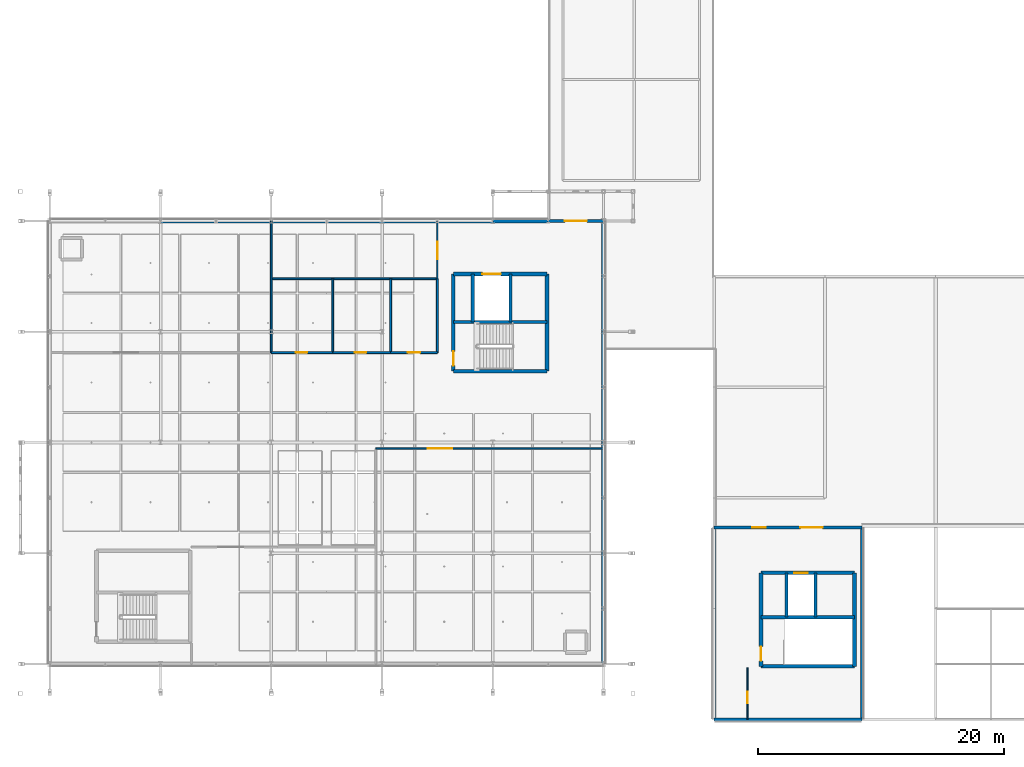
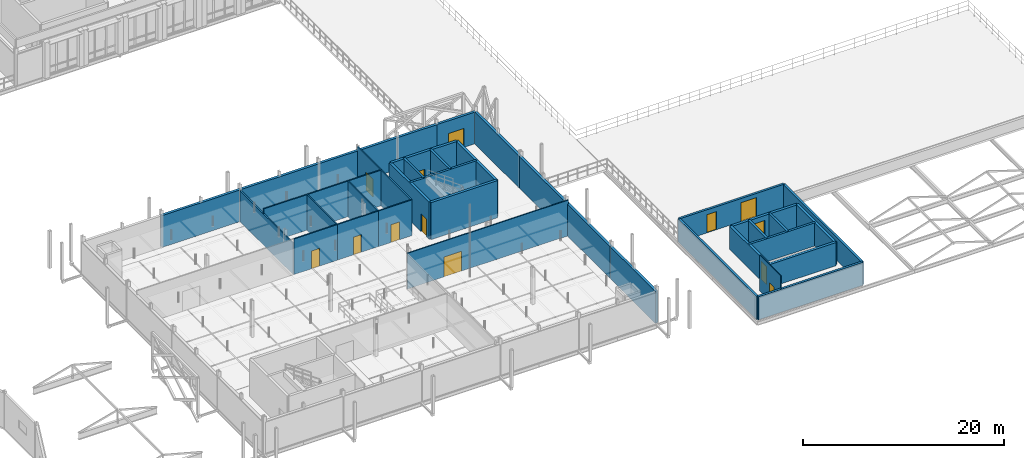
# One storey, part 47 of 89: 38 walls, 13 doors, 13 openings.
"""IFC4 building model written with IfcOpenShell, lengths in metres."""

from ifc_helpers import new_model, si_unit, direction, frame, frame_2d, origin, place, context, subcontext, project, spatial, rectangle, extrude, material, layer, layer_set, type_object, element, fill, save


model = new_model("IFC4")

# Units and contexts
model_context = context("Model", 3, precision=1e-05, world=origin(), true_north=direction((0.0, 1.0)))
body_context = subcontext(model_context, "Body", "Model", "MODEL_VIEW")
ifc_project = project(units=[si_unit("LENGTHUNIT", "METRE"), si_unit("AREAUNIT", "SQUARE_METRE"), si_unit("VOLUMEUNIT", "CUBIC_METRE"), si_unit("PLANEANGLEUNIT", "RADIAN"), si_unit("MASSUNIT", "GRAM", prefix="KILO"), si_unit("THERMODYNAMICTEMPERATUREUNIT", "KELVIN"), si_unit("POWERUNIT", "WATT")], contexts=[model_context])

# Site, building, storey
site_placement = place(None, origin())
site = spatial("IfcSite", under=ifc_project, at=site_placement, CompositionType="ELEMENT")
building_placement = place(site_placement, origin())
building = spatial("IfcBuilding", under=site, at=building_placement, Name="Tallowbark Science Centre", CompositionType="ELEMENT")
storey_placement = place(building_placement, frame((0.0, 0.0, 14.39990234375)))
storey = spatial("IfcBuildingStorey", under=building, at=storey_placement, Name="L03", CompositionType="ELEMENT", Elevation=14.39990234375)

# Walls
ifc_material_1 = material(Name="Insulated Precast Concrete Panel Grade N40 (40 MPa)", Category="concrete")
ifc_layer_1 = layer(ifc_material_1, 0.25)
ifc_layer_set_1 = layer_set([ifc_layer_1], Name="Insulated Precast Concrete Panel Grade N40 (40 MPa)")
wall_type_1 = type_object("IfcWallType", Name="EWL-PRC-250", PredefinedType="STANDARD", material=ifc_layer_set_1)
wall_1_placement = place(storey_placement, frame((112.5, 0.0, 0.0), z_axis=(0.0, 0.0, 1.0), x_axis=(1.0, 0.0, 0.0)))
element("IfcWall", 1, at=wall_1_placement, inside=storey, type_object=wall_type_1, Name="Exterior Wall THT-VST-L03-S", PredefinedType="STANDARD", context=body_context, shape_type="SweptSolid", body=[
    extrude(rectangle(XDim=12.0, YDim=0.25, at=frame_2d((6.0, 0.0))), origin(), (0.0, 0.0, 1.0), 2.800048828125),
])
for number, where, z_axis, x_axis, name in (
    (2, (112.5, 15.60009765625, 0.0), (0.0, 0.0, 1.0), (0.0, -1.0, 0.0), "Exterior Wall THT-VST-L03-W"),
    (3, (124.5, 0.0, 0.0), (0.0, 0.0, 1.0), (0.0, 1.0, 0.0), "Exterior Wall THT-VST-L03-E"),
):
    element("IfcWall", number, at=place(storey_placement, frame(where, z_axis=z_axis, x_axis=x_axis)), inside=storey, type_object=wall_type_1, Name=name, PredefinedType="STANDARD", context=body_context, shape_type="SweptSolid", body=[
        extrude(rectangle(XDim=15.60009765625, YDim=0.25, at=frame_2d((7.800048828125, 0.0))), origin(), (0.0, 0.0, 1.0), 2.800048828125),
    ])

# Wall, openings, doors
wall_2_placement = place(storey_placement, frame((124.5, 15.60009765625, 0.0), z_axis=(0.0, 0.0, 1.0), x_axis=(-1.0, 0.0, 0.0)))
wall_2 = element("IfcWall", 4, at=wall_2_placement, inside=storey, type_object=wall_type_1, Name="Exterior Wall THT-VST-L03-N", PredefinedType="STANDARD", context=body_context, shape_type="SweptSolid", body=[
    extrude(rectangle(XDim=12.0, YDim=0.25, at=frame_2d((6.0, 0.0))), origin(), (0.0, 0.0, 1.0), 2.800048828125),
])
opening_1_placement = place(wall_2_placement, frame((3.199951171875, 0.0, 0.0)))
opening_1 = element("IfcOpeningElement", 5, at=opening_1_placement, cuts=wall_2, Name="Opening ED-04", PredefinedType="OPENING", context=body_context, shape_type="SweptSolid", body=[
    extrude(rectangle(XDim=1.800048828125, YDim=2.300048828125, at=frame_2d((0.89990234375, 1.14990234375))), frame((0.0, 0.135009765625, 0.0), z_axis=(0.0, -1.0, 0.0), x_axis=(1.0, 0.0, 0.0)), (0.0, 0.0, 1.0), 0.27001953125),
])
opening_2_placement = place(wall_2_placement, frame((7.800048828125, 0.0, 0.0)))
opening_2 = element("IfcOpeningElement", 6, at=opening_2_placement, cuts=wall_2, Name="Opening ED-05", PredefinedType="OPENING", context=body_context, shape_type="SweptSolid", body=[
    extrude(rectangle(XDim=1.10009765625, YDim=2.199951171875, at=frame_2d((0.550048828125, 1.10009765625))), frame((0.0, 0.135009765625, 0.0), z_axis=(0.0, -1.0, 0.0), x_axis=(1.0, 0.0, 0.0)), (0.0, 0.0, 1.0), 0.27001953125),
])
ifc_material_2 = material(Name="Thermally Broken Glazed Aluminium Frame", Category="aluminium")
door_type_1 = type_object("IfcDoorType", Name="EDR-TER-110", OperationType="NOTDEFINED", PredefinedType="DOOR", material=ifc_material_2)
door_1_placement = place(opening_2_placement, origin())
door_1 = element("IfcDoor", 7, at=door_1_placement, inside=storey, type_object=door_type_1, Name="Exterior Door XOP-10", OperationType="SINGLE_SWING_RIGHT", OverallHeight=2.199951171875, OverallWidth=1.10009765625, PredefinedType="DOOR", context=body_context, shape_type="SweptSolid", body=[
    extrude(rectangle(XDim=1.10009765625, YDim=2.199951171875, at=frame_2d((0.550048828125, 1.10009765625))), frame((0.0, 0.02490234375, 0.0), z_axis=(0.0, -1.0, 0.0), x_axis=(1.0, 0.0, 0.0)), (0.0, 0.0, 1.0), 0.050048828125),
])
fill(opening_2, door_1)
door_type_2 = type_object("IfcDoorType", Name="EDR-TER-180", OperationType="DOUBLE_DOOR_SINGLE_SWING", PredefinedType="DOOR", material=ifc_material_2)
door_2_placement = place(opening_1_placement, origin())
door_2 = element("IfcDoor", 8, at=door_2_placement, inside=storey, type_object=door_type_2, Name="Exterior Door EDR-L03-022", OperationType="DOUBLE_DOOR_SINGLE_SWING", OverallHeight=2.300048828125, OverallWidth=1.800048828125, PredefinedType="DOOR", context=body_context, shape_type="SweptSolid", body=[
    extrude(rectangle(XDim=1.800048828125, YDim=2.300048828125, at=frame_2d((0.89990234375, 1.14990234375))), frame((0.0, 0.02490234375, 0.0), z_axis=(0.0, -1.0, 0.0), x_axis=(1.0, 0.0, 0.0)), (0.0, 0.0, 1.0), 0.050048828125),
])
fill(opening_1, door_2)

# Wall, opening, door
ifc_material_3 = material(Name="Spotted Gum Glulam and Mineral-Wool Rainscreen Assembly", Category="wood")
ifc_layer_2 = layer(ifc_material_3, 0.280029296875)
ifc_layer_set_2 = layer_set([ifc_layer_2], Name="Spotted Gum Glulam and Mineral-Wool Rainscreen Assembly")
wall_type_2 = type_object("IfcWallType", Name="EWL-TIM-280", PredefinedType="STANDARD", material=ifc_layer_set_2)
wall_3_placement = place(storey_placement, frame((103.5, 40.5, 0.0), z_axis=(0.0, 0.0, 1.0), x_axis=(-1.0, 0.0, 0.0)))
wall_3 = element("IfcWall", 9, at=wall_3_placement, inside=storey, type_object=wall_type_2, Name="Exterior Wall CUB-N-L03-4A", PredefinedType="STANDARD", context=body_context, shape_type="SweptSolid", body=[
    extrude(rectangle(XDim=4.5, YDim=0.280029296875, at=frame_2d((2.25, 0.0))), origin(), (0.0, 0.0, 1.0), 3.84619140625),
])
opening_3_placement = place(wall_3_placement, frame((1.35009765625, 0.0, 0.0)))
opening_3 = element("IfcOpeningElement", 10, at=opening_3_placement, cuts=wall_3, Name="Opening ED-04", PredefinedType="OPENING", context=body_context, shape_type="SweptSolid", body=[
    extrude(rectangle(XDim=1.800048828125, YDim=2.300048828125, at=frame_2d((0.89990234375, 1.14990234375))), frame((0.0, 0.14990234375, 0.0), z_axis=(0.0, -1.0, 0.0), x_axis=(1.0, 0.0, 0.0)), (0.0, 0.0, 1.0), 0.300048828125),
])
door_3_placement = place(opening_3_placement, origin())
door_3 = element("IfcDoor", 11, at=door_3_placement, inside=storey, type_object=door_type_2, Name="Exterior Door EDR-L03-013", OperationType="DOUBLE_DOOR_SINGLE_SWING", OverallHeight=2.300048828125, OverallWidth=1.800048828125, PredefinedType="DOOR", context=body_context, shape_type="SweptSolid", body=[
    extrude(rectangle(XDim=1.800048828125, YDim=2.300048828125, at=frame_2d((0.89990234375, 1.14990234375))), frame((0.0, 0.02490234375, 0.0), z_axis=(0.0, -1.0, 0.0), x_axis=(1.0, 0.0, 0.0)), (0.0, 0.0, 1.0), 0.050048828125),
])
fill(opening_3, door_3)

# Walls
ifc_material_4 = material(Name="Spotted Gum Acoustic Cassette Wall Assembly", Category="wood")
ifc_layer_3 = layer(ifc_material_4, 0.294921875)
ifc_layer_set_3 = layer_set([ifc_layer_3], Name="Spotted Gum Acoustic Cassette Wall Assembly")
wall_type_3 = type_object("IfcWallType", Name="EWL-TIM-295", PredefinedType="STANDARD", material=ifc_layer_set_3)
for number, where, z_axis, x_axis, name in (
    (12, (76.5, 40.5, 0.0), (0.0, 0.0, 1.0), (-1.0, 0.0, 0.0), "Exterior Wall CUB-N-L03-1"),
    (13, (85.5, 40.5, 0.0), (0.0, 0.0, 1.0), (-1.0, 0.0, 0.0), "Exterior Wall CUB-N-L03-2"),
    (14, (94.5, 40.5, 0.0), (0.0, 0.0, 1.0), (-1.0, 0.0, 0.0), "Exterior Wall CUB-N-L03-3"),
):
    element("IfcWall", number, at=place(storey_placement, frame(where, z_axis=z_axis, x_axis=x_axis)), inside=storey, type_object=wall_type_3, Name=name, PredefinedType="STANDARD", context=body_context, shape_type="SweptSolid", body=[
        extrude(rectangle(XDim=9.0, YDim=0.294921875, at=frame_2d((4.5, 0.0))), origin(), (0.0, 0.0, 1.0), 3.84619140625),
    ])
wall_4_placement = place(storey_placement, frame((99.0, 40.5, 0.0), z_axis=(0.0, 0.0, 1.0), x_axis=(-1.0, 0.0, 0.0)))
element("IfcWall", 15, at=wall_4_placement, inside=storey, type_object=wall_type_3, Name="Exterior Wall CUB-N-L03-4B", PredefinedType="STANDARD", context=body_context, shape_type="SweptSolid", body=[
    extrude(rectangle(XDim=4.5, YDim=0.294921875, at=frame_2d((2.25, 0.0))), origin(), (0.0, 0.0, 1.0), 3.84619140625),
])
for number, where, z_axis, x_axis, name in (
    (16, (103.5, 4.5, 0.0), (0.0, 0.0, 1.0), (0.0, 1.0, 0.0), "Exterior Wall CUB-E-L03-0"),
    (17, (103.5, 13.5, 0.0), (0.0, 0.0, 1.0), (0.0, 1.0, 0.0), "Exterior Wall CUB-E-L03-1"),
    (18, (103.5, 22.5, 0.0), (0.0, 0.0, 1.0), (0.0, 1.0, 0.0), "Exterior Wall CUB-E-L03-2"),
    (19, (103.5, 31.5, 0.0), (0.0, 0.0, 1.0), (0.0, 1.0, 0.0), "Exterior Wall CUB-E-L03-3"),
):
    element("IfcWall", number, at=place(storey_placement, frame(where, z_axis=z_axis, x_axis=x_axis)), inside=storey, type_object=wall_type_3, Name=name, PredefinedType="STANDARD", context=body_context, shape_type="SweptSolid", body=[
        extrude(rectangle(XDim=9.0, YDim=0.294921875, at=frame_2d((4.5, 0.0))), origin(), (0.0, 0.0, 1.0), 3.84619140625),
    ])

# Wall, opening, door
ifc_material_5 = material(Name="116 mm Acoustic Steel Stud and 16 mm Fire-Rated Plasterboard", Category="steel")
ifc_layer_4 = layer(ifc_material_5, 0.115966796875)
ifc_layer_set_4 = layer_set([ifc_layer_4], Name="116 mm Acoustic Steel Stud and 16 mm Fire-Rated Plasterboard")
wall_type_4 = type_object("IfcWallType", Name="PTW-116", PredefinedType="PARTITIONING", material=ifc_layer_set_4)
wall_5_placement = place(storey_placement, frame((115.199951171875, 0.0, 0.0), z_axis=(0.0, 0.0, 1.0), x_axis=(0.0, 1.0, 0.0)))
wall_5 = element("IfcWall", 20, at=wall_5_placement, inside=storey, type_object=wall_type_4, Name="Interior Partition PTW-L03-0261", PredefinedType="PARTITIONING", context=body_context, shape_type="SweptSolid", body=[
    extrude(rectangle(XDim=4.199951171875, YDim=0.115966796875, at=frame_2d((2.10009765625, 0.0))), origin(), (0.0, 0.0, 1.0), 4.320068359375),
])
opening_4_placement = place(wall_5_placement, frame((1.300048828125, 0.0, 0.0)))
opening_4 = element("IfcOpeningElement", 21, at=opening_4_placement, cuts=wall_5, Name="Opening ID-04", PredefinedType="OPENING", context=body_context, shape_type="SweptSolid", body=[
    extrude(rectangle(XDim=0.949951171875, YDim=2.14990234375, at=frame_2d((0.47509765625, 1.074951171875))), frame((0.0, 0.06787109375, 0.0), z_axis=(0.0, -1.0, 0.0), x_axis=(1.0, 0.0, 0.0)), (0.0, 0.0, 1.0), 0.135986328125),
])
ifc_material_6 = material(Name="Solid-Core Timber Veneer Leaf", Category="wood")
door_type_3 = type_object("IfcDoorType", Name="IDR-OFF-095", OperationType="NOTDEFINED", PredefinedType="DOOR", material=ifc_material_6)
door_4_placement = place(opening_4_placement, origin())
door_4 = element("IfcDoor", 22, at=door_4_placement, inside=storey, type_object=door_type_3, Name="Interior Door IDR-L03-0114", OperationType="SINGLE_SWING_RIGHT", OverallHeight=2.14990234375, OverallWidth=0.949951171875, PredefinedType="DOOR", context=body_context, shape_type="SweptSolid", body=[
    extrude(rectangle(XDim=0.949951171875, YDim=2.14990234375, at=frame_2d((0.47509765625, 1.074951171875))), frame((0.0, 0.02490234375, 0.0), z_axis=(0.0, -1.0, 0.0), x_axis=(1.0, 0.0, 0.0)), (0.0, 0.0, 1.0), 0.050048828125),
])
fill(opening_4, door_4)

ifc_material_7 = material(Name="132 mm Acoustic Laboratory Steel Stud Partition", Category="steel")
ifc_layer_5 = layer(ifc_material_7, 0.132080078125)
ifc_layer_set_5 = layer_set([ifc_layer_5], Name="132 mm Acoustic Laboratory Steel Stud Partition")
wall_type_5 = type_object("IfcWallType", Name="PTW-132", PredefinedType="PARTITIONING", material=ifc_layer_set_5)
wall_6_placement = place(storey_placement, frame((90.0, 35.800048828125, 0.0), z_axis=(0.0, 0.0, 1.0), x_axis=(0.0, 1.0, 0.0)))
wall_6 = element("IfcWall", 23, at=wall_6_placement, inside=storey, type_object=wall_type_5, Name="Interior Partition PTW-L03-0260", PredefinedType="PARTITIONING", context=body_context, shape_type="SweptSolid", body=[
    extrude(rectangle(XDim=4.699951171875, YDim=0.132080078125, at=frame_2d((2.35009765625, 0.0))), origin(), (0.0, 0.0, 1.0), 4.320068359375),
])
opening_5_placement = place(wall_6_placement, frame((1.60009765625, 0.0, 0.0)))
opening_5 = element("IfcOpeningElement", 24, at=opening_5_placement, cuts=wall_6, Name="Opening ID-01", PredefinedType="OPENING", context=body_context, shape_type="SweptSolid", body=[
    extrude(rectangle(XDim=1.39990234375, YDim=2.199951171875, at=frame_2d((0.699951171875, 1.10009765625))), frame((0.0, 0.076171875, 0.0), z_axis=(0.0, -1.0, 0.0), x_axis=(1.0, 0.0, 0.0)), (0.0, 0.0, 1.0), 0.152099609375),
])
ifc_material_8 = material(Name="Vision-Panel Leaf and Unequal Side Leaf")
door_type_4 = type_object("IfcDoorType", Name="IDR-LAB-140", OperationType="DOUBLE_DOOR_SINGLE_SWING", PredefinedType="DOOR", material=ifc_material_8)
door_5_placement = place(opening_5_placement, origin())
door_5 = element("IfcDoor", 25, at=door_5_placement, inside=storey, type_object=door_type_4, Name="Interior Door IDR-L03-0113", OperationType="DOUBLE_DOOR_SINGLE_SWING", OverallHeight=2.199951171875, OverallWidth=1.39990234375, PredefinedType="DOOR", context=body_context, shape_type="SweptSolid", body=[
    extrude(rectangle(XDim=1.39990234375, YDim=2.199951171875, at=frame_2d((0.699951171875, 1.10009765625))), frame((0.0, 0.02490234375, 0.0), z_axis=(0.0, -1.0, 0.0), x_axis=(1.0, 0.0, 0.0)), (0.0, 0.0, 1.0), 0.050048828125),
])
fill(opening_5, door_5)

ifc_material_9 = material(Name="150 mm Wet-Area Moisture-Resistant Partition")
ifc_layer_6 = layer(ifc_material_9, 0.14990234375)
ifc_layer_set_6 = layer_set([ifc_layer_6], Name="150 mm Wet-Area Moisture-Resistant Partition")
wall_type_6 = type_object("IfcWallType", Name="PTW-150", PredefinedType="PARTITIONING", material=ifc_layer_set_6)
wall_7_placement = place(storey_placement, frame((76.5, 29.800048828125, 0.0), z_axis=(0.0, 0.0, 1.0), x_axis=(1.0, 0.0, 0.0)))
wall_7 = element("IfcWall", 26, at=wall_7_placement, inside=storey, type_object=wall_type_6, Name="Interior Partition PTW-L03-0252", PredefinedType="PARTITIONING", context=body_context, shape_type="SweptSolid", body=[
    extrude(rectangle(XDim=5.0, YDim=0.14990234375, at=frame_2d((2.5, 0.0))), origin(), (0.0, 0.0, 1.0), 4.320068359375),
])
opening_6_placement = place(wall_7_placement, frame((2.0, 0.0, 0.0)))
opening_6 = element("IfcOpeningElement", 27, at=opening_6_placement, cuts=wall_7, Name="Opening ID-05", PredefinedType="OPENING", context=body_context, shape_type="SweptSolid", body=[
    extrude(rectangle(XDim=0.919921875, YDim=2.14990234375, at=frame_2d((0.4599609375, 1.074951171875))), frame((0.0, 0.0849609375, 0.0), z_axis=(0.0, -1.0, 0.0), x_axis=(1.0, 0.0, 0.0)), (0.0, 0.0, 1.0), 0.169921875),
])
ifc_material_10 = material(Name="Moisture-Resistant Laminate Leaf")
door_type_5 = type_object("IfcDoorType", Name="IDR-WC-092", OperationType="NOTDEFINED", PredefinedType="DOOR", material=ifc_material_10)
door_6_placement = place(opening_6_placement, origin())
door_6 = element("IfcDoor", 28, at=door_6_placement, inside=storey, type_object=door_type_5, Name="Interior Door IDR-L03-0110", OperationType="SINGLE_SWING_RIGHT", OverallHeight=2.14990234375, OverallWidth=0.919921875, PredefinedType="DOOR", context=body_context, shape_type="SweptSolid", body=[
    extrude(rectangle(XDim=0.919921875, YDim=2.14990234375, at=frame_2d((0.4599609375, 1.074951171875))), frame((0.0, 0.02490234375, 0.0), z_axis=(0.0, -1.0, 0.0), x_axis=(1.0, 0.0, 0.0)), (0.0, 0.0, 1.0), 0.050048828125),
])
fill(opening_6, door_6)

wall_8_placement = place(storey_placement, frame((81.5, 29.800048828125, 0.0), z_axis=(0.0, 0.0, 1.0), x_axis=(1.0, 0.0, 0.0)))
wall_8 = element("IfcWall", 29, at=wall_8_placement, inside=storey, type_object=wall_type_6, Name="Interior Partition PTW-L03-0253", PredefinedType="PARTITIONING", context=body_context, shape_type="SweptSolid", body=[
    extrude(rectangle(XDim=4.699951171875, YDim=0.14990234375, at=frame_2d((2.35009765625, 0.0))), origin(), (0.0, 0.0, 1.0), 4.320068359375),
])
opening_7_placement = place(wall_8_placement, frame((1.800048828125, 0.0, 0.0)))
opening_7 = element("IfcOpeningElement", 30, at=opening_7_placement, cuts=wall_8, Name="Opening ID-05", PredefinedType="OPENING", context=body_context, shape_type="SweptSolid", body=[
    extrude(rectangle(XDim=0.919921875, YDim=2.14990234375, at=frame_2d((0.4599609375, 1.074951171875))), frame((0.0, 0.0849609375, 0.0), z_axis=(0.0, -1.0, 0.0), x_axis=(1.0, 0.0, 0.0)), (0.0, 0.0, 1.0), 0.169921875),
])
door_7_placement = place(opening_7_placement, origin())
door_7 = element("IfcDoor", 31, at=door_7_placement, inside=storey, type_object=door_type_5, Name="Interior Door IDR-L03-0111", OperationType="SINGLE_SWING_LEFT", OverallHeight=2.14990234375, OverallWidth=0.919921875, PredefinedType="DOOR", context=body_context, shape_type="SweptSolid", body=[
    extrude(rectangle(XDim=0.919921875, YDim=2.14990234375, at=frame_2d((0.4599609375, 1.074951171875))), frame((0.0, 0.02490234375, 0.0), z_axis=(0.0, -1.0, 0.0), x_axis=(1.0, 0.0, 0.0)), (0.0, 0.0, 1.0), 0.050048828125),
])
fill(opening_7, door_7)

wall_9_placement = place(storey_placement, frame((86.199951171875, 29.800048828125, 0.0), z_axis=(0.0, 0.0, 1.0), x_axis=(1.0, 0.0, 0.0)))
wall_9 = element("IfcWall", 32, at=wall_9_placement, inside=storey, type_object=wall_type_6, Name="Interior Partition PTW-L03-0254", PredefinedType="PARTITIONING", context=body_context, shape_type="SweptSolid", body=[
    extrude(rectangle(XDim=3.800048828125, YDim=0.14990234375, at=frame_2d((1.89990234375, 0.0))), origin(), (0.0, 0.0, 1.0), 4.320068359375),
])
opening_8_placement = place(wall_9_placement, frame((1.39990234375, 0.0, 0.0)))
opening_8 = element("IfcOpeningElement", 33, at=opening_8_placement, cuts=wall_9, Name="Opening ID-06", PredefinedType="OPENING", context=body_context, shape_type="SweptSolid", body=[
    extrude(rectangle(XDim=1.0, YDim=2.14990234375, at=frame_2d((0.5, 1.074951171875))), frame((0.0, 0.0849609375, 0.0), z_axis=(0.0, -1.0, 0.0), x_axis=(1.0, 0.0, 0.0)), (0.0, 0.0, 1.0), 0.169921875),
])
ifc_material_11 = material(Name="Accessible Cavity Sliding Leaf")
door_type_6 = type_object("IfcDoorType", Name="IDR-AWC-100", OperationType="SLIDING_TO_LEFT", PredefinedType="DOOR", material=ifc_material_11)
door_8_placement = place(opening_8_placement, origin())
door_8 = element("IfcDoor", 34, at=door_8_placement, inside=storey, type_object=door_type_6, Name="Interior Door IDR-L03-0112", OperationType="SLIDING_TO_LEFT", OverallHeight=2.14990234375, OverallWidth=1.0, PredefinedType="DOOR", context=body_context, shape_type="SweptSolid", body=[
    extrude(rectangle(XDim=1.0, YDim=2.14990234375, at=frame_2d((0.5, 1.074951171875))), frame((0.0, 0.02490234375, 0.0), z_axis=(0.0, -1.0, 0.0), x_axis=(1.0, 0.0, 0.0)), (0.0, 0.0, 1.0), 0.050048828125),
])
fill(opening_8, door_8)

# Walls
wall_10_placement = place(storey_placement, frame((76.5, 29.800048828125, 0.0), z_axis=(0.0, 0.0, 1.0), x_axis=(0.0, 1.0, 0.0)))
element("IfcWall", 35, at=wall_10_placement, inside=storey, type_object=wall_type_6, Name="Interior Partition PTW-L03-0255", PredefinedType="PARTITIONING", context=body_context, shape_type="SweptSolid", body=[
    extrude(rectangle(XDim=10.699951171875, YDim=0.14990234375, at=frame_2d((5.35009765625, 0.0))), origin(), (0.0, 0.0, 1.0), 3.77197265625),
])
for number, where, z_axis, x_axis, name in (
    (36, (81.5, 29.800048828125, 0.0), (0.0, 0.0, 1.0), (0.0, 1.0, 0.0), "Interior Partition PTW-L03-0256"),
    (37, (86.199951171875, 29.800048828125, 0.0), (0.0, 0.0, 1.0), (0.0, 1.0, 0.0), "Interior Partition PTW-L03-0257"),
):
    element("IfcWall", number, at=place(storey_placement, frame(where, z_axis=z_axis, x_axis=x_axis)), inside=storey, type_object=wall_type_6, Name=name, PredefinedType="PARTITIONING", context=body_context, shape_type="SweptSolid", body=[
        extrude(rectangle(XDim=6.0, YDim=0.14990234375, at=frame_2d((3.0, 0.0))), origin(), (0.0, 0.0, 1.0), 4.320068359375),
    ])
wall_11_placement = place(storey_placement, frame((76.5, 35.800048828125, 0.0), z_axis=(0.0, 0.0, 1.0), x_axis=(1.0, 0.0, 0.0)))
element("IfcWall", 38, at=wall_11_placement, inside=storey, type_object=wall_type_6, Name="Interior Partition PTW-L03-0258", PredefinedType="PARTITIONING", context=body_context, shape_type="SweptSolid", body=[
    extrude(rectangle(XDim=13.5, YDim=0.14990234375, at=frame_2d((6.75, 0.0))), origin(), (0.0, 0.0, 1.0), 4.320068359375),
])
wall_12_placement = place(storey_placement, frame((90.0, 29.800048828125, 0.0), z_axis=(0.0, 0.0, 1.0), x_axis=(0.0, 1.0, 0.0)))
element("IfcWall", 39, at=wall_12_placement, inside=storey, type_object=wall_type_6, Name="Interior Partition PTW-L03-0259", PredefinedType="PARTITIONING", context=body_context, shape_type="SweptSolid", body=[
    extrude(rectangle(XDim=6.0, YDim=0.14990234375, at=frame_2d((3.0, 0.0))), origin(), (0.0, 0.0, 1.0), 4.320068359375),
])

# Wall, opening, door
ifc_material_12 = material(Name="125 mm Top-Hung Operable Acoustic Exhibition Partition")
ifc_layer_7 = layer(ifc_material_12, 0.125)
ifc_layer_set_7 = layer_set([ifc_layer_7], Name="125 mm Top-Hung Operable Acoustic Exhibition Partition")
wall_type_7 = type_object("IfcWallType", Name="PTW-MOV-125", PredefinedType="MOVABLE", material=ifc_layer_set_7)
wall_13_placement = place(storey_placement, frame((85.0, 22.0, 0.0), z_axis=(0.0, 0.0, 1.0), x_axis=(1.0, 0.0, 0.0)))
wall_13 = element("IfcWall", 40, at=wall_13_placement, inside=storey, type_object=wall_type_7, Name="Interior Partition PTW-L03-0250", PredefinedType="MOVABLE", context=body_context, shape_type="SweptSolid", body=[
    extrude(rectangle(XDim=18.5, YDim=0.125, at=frame_2d((9.25, 0.0))), origin(), (0.0, 0.0, 1.0), 4.320068359375),
])
opening_9_placement = place(wall_13_placement, frame((4.199951171875, 0.0, 0.0)))
opening_9 = element("IfcOpeningElement", 41, at=opening_9_placement, cuts=wall_13, Name="Opening ID-02", PredefinedType="OPENING", context=body_context, shape_type="SweptSolid", body=[
    extrude(rectangle(XDim=2.0, YDim=2.39990234375, at=frame_2d((1.0, 1.199951171875))), frame((0.0, 0.072509765625, 0.0), z_axis=(0.0, -1.0, 0.0), x_axis=(1.0, 0.0, 0.0)), (0.0, 0.0, 1.0), 0.14501953125),
])
ifc_material_13 = material(Name="Spotted Gum Acoustic Gallery Pair", Category="wood")
door_type_7 = type_object("IfcDoorType", Name="IDR-GAL-200", OperationType="DOUBLE_DOOR_DOUBLE_SWING", PredefinedType="DOOR", material=ifc_material_13)
door_9_placement = place(opening_9_placement, origin())
door_9 = element("IfcDoor", 42, at=door_9_placement, inside=storey, type_object=door_type_7, Name="Interior Door IDR-L03-0108", OperationType="DOUBLE_DOOR_DOUBLE_SWING", OverallHeight=2.39990234375, OverallWidth=2.0, PredefinedType="DOOR", context=body_context, shape_type="SweptSolid", body=[
    extrude(rectangle(XDim=2.0, YDim=2.39990234375, at=frame_2d((1.0, 1.199951171875))), frame((0.0, 0.02490234375, 0.0), z_axis=(0.0, -1.0, 0.0), x_axis=(1.0, 0.0, 0.0)), (0.0, 0.0, 1.0), 0.050048828125),
])
fill(opening_9, door_9)

ifc_material_14 = material(Name="Concrete Grade N40 (40 MPa)", Category="concrete")
ifc_layer_8 = layer(ifc_material_14, 0.300048828125)
ifc_layer_set_8 = layer_set([ifc_layer_8], Name="Concrete Grade N40 (40 MPa)")
wall_type_8 = type_object("IfcWallType", Name="WL-CORE-300", PredefinedType="SHEAR", material=ifc_layer_set_8)
wall_14_placement = place(storey_placement, frame((91.300048828125, 28.300048828125, 0.0), z_axis=(0.0, 0.0, 1.0), x_axis=(0.0, 1.0, 0.0)))
wall_14 = element("IfcWall", 43, at=wall_14_placement, inside=storey, type_object=wall_type_8, Name="Core C3 Shear Wall L03 W", PredefinedType="SHEAR", context=body_context, shape_type="SweptSolid", body=[
    extrude(rectangle(XDim=7.89990234375, YDim=0.300048828125, at=frame_2d((3.949951171875, 0.0))), origin(), (0.0, 0.0, 1.0), 4.5),
])
opening_10_placement = place(wall_14_placement, frame((0.449951171875, 0.0, 0.0)))
opening_10 = element("IfcOpeningElement", 44, at=opening_10_placement, cuts=wall_14, Name="Opening FD-01", PredefinedType="OPENING", context=body_context, shape_type="SweptSolid", body=[
    extrude(rectangle(XDim=1.14990234375, YDim=2.14990234375, at=frame_2d((0.574951171875, 1.074951171875))), frame((0.0, 0.16015625, 0.0), z_axis=(0.0, -1.0, 0.0), x_axis=(1.0, 0.0, 0.0)), (0.0, 0.0, 1.0), 0.320068359375),
])
ifc_material_15 = material(Name="Fire-Rated Pressed Steel Frame and Solid Core Leaf", Category="steel")
door_type_8 = type_object("IfcDoorType", Name="FDR-STR-115", OperationType="NOTDEFINED", PredefinedType="DOOR", material=ifc_material_15)
door_10_placement = place(opening_10_placement, origin())
door_10 = element("IfcDoor", 45, at=door_10_placement, inside=storey, type_object=door_type_8, Name="Stair ST-03 Fire Door L03", OperationType="SINGLE_SWING_LEFT", OverallHeight=2.14990234375, OverallWidth=1.14990234375, PredefinedType="DOOR", context=body_context, shape_type="SweptSolid", body=[
    extrude(rectangle(XDim=1.14990234375, YDim=2.14990234375, at=frame_2d((0.574951171875, 1.074951171875))), frame((0.0, 0.02490234375, 0.0), z_axis=(0.0, -1.0, 0.0), x_axis=(1.0, 0.0, 0.0)), (0.0, 0.0, 1.0), 0.050048828125),
])
fill(opening_10, door_10)

# Walls
wall_15_placement = place(storey_placement, frame((98.89990234375, 28.300048828125, 0.0), z_axis=(0.0, 0.0, 1.0), x_axis=(0.0, 1.0, 0.0)))
element("IfcWall", 46, at=wall_15_placement, inside=storey, type_object=wall_type_8, Name="Core C3 Shear Wall L03 E", PredefinedType="SHEAR", context=body_context, shape_type="SweptSolid", body=[
    extrude(rectangle(XDim=7.89990234375, YDim=0.300048828125, at=frame_2d((3.949951171875, 0.0))), origin(), (0.0, 0.0, 1.0), 4.5),
])
wall_16_placement = place(storey_placement, frame((91.300048828125, 28.300048828125, 0.0), z_axis=(0.0, 0.0, 1.0), x_axis=(1.0, 0.0, 0.0)))
element("IfcWall", 47, at=wall_16_placement, inside=storey, type_object=wall_type_8, Name="Core C3 Shear Wall L03 S", PredefinedType="SHEAR", context=body_context, shape_type="SweptSolid", body=[
    extrude(rectangle(XDim=7.599853515625, YDim=0.300048828125, at=frame_2d((3.7998046875, 0.0))), origin(), (0.0, 0.0, 1.0), 4.5),
])

# Wall, opening, door
wall_17_placement = place(storey_placement, frame((91.300048828125, 36.199951171875, 0.0), z_axis=(0.0, 0.0, 1.0), x_axis=(1.0, 0.0, 0.0)))
wall_17 = element("IfcWall", 48, at=wall_17_placement, inside=storey, type_object=wall_type_8, Name="Core C3 Shear Wall L03 N", PredefinedType="SHEAR", context=body_context, shape_type="SweptSolid", body=[
    extrude(rectangle(XDim=7.599853515625, YDim=0.300048828125, at=frame_2d((3.7998046875, 0.0))), origin(), (0.0, 0.0, 1.0), 4.5),
])
opening_11_placement = place(wall_17_placement, frame((2.35009765625, 0.0, 0.0)))
opening_11 = element("IfcOpeningElement", 49, at=opening_11_placement, cuts=wall_17, Name="Opening LD-02", PredefinedType="OPENING", context=body_context, shape_type="SweptSolid", body=[
    extrude(rectangle(XDim=1.5, YDim=2.39990234375, at=frame_2d((0.75, 1.199951171875))), frame((0.0, 0.16015625, 0.0), z_axis=(0.0, -1.0, 0.0), x_axis=(1.0, 0.0, 0.0)), (0.0, 0.0, 1.0), 0.320068359375),
])
ifc_material_16 = material(Name="Heavy-Duty Goods and Stretcher Lift Landing Door")
door_type_9 = type_object("IfcDoorType", Name="LDR-GDS-150", OperationType="DOUBLE_DOOR_SLIDING", PredefinedType="DOOR", material=ifc_material_16)
door_11_placement = place(opening_11_placement, origin())
door_11 = element("IfcDoor", 50, at=door_11_placement, inside=storey, type_object=door_type_9, Name="Lift LF-06 Landing Door L03", OperationType="DOUBLE_DOOR_SLIDING", OverallHeight=2.39990234375, OverallWidth=1.5, PredefinedType="DOOR", context=body_context, shape_type="SweptSolid", body=[
    extrude(rectangle(XDim=1.5, YDim=2.39990234375, at=frame_2d((0.75, 1.199951171875))), frame((0.0, 0.02490234375, 0.0), z_axis=(0.0, -1.0, 0.0), x_axis=(1.0, 0.0, 0.0)), (0.0, 0.0, 1.0), 0.050048828125),
])
fill(opening_11, door_11)

wall_18_placement = place(storey_placement, frame((116.300048828125, 4.300048828125, 0.0), z_axis=(0.0, 0.0, 1.0), x_axis=(0.0, 1.0, 0.0)))
wall_18 = element("IfcWall", 51, at=wall_18_placement, inside=storey, type_object=wall_type_8, Name="Core C6 Shear Wall L03 W", PredefinedType="SHEAR", context=body_context, shape_type="SweptSolid", body=[
    extrude(rectangle(XDim=7.599853515625, YDim=0.300048828125, at=frame_2d((3.7998046875, 0.0))), origin(), (0.0, 0.0, 1.0), 2.800048828125),
])
opening_12_placement = place(wall_18_placement, frame((0.449951171875, 0.0, 0.0)))
opening_12 = element("IfcOpeningElement", 52, at=opening_12_placement, cuts=wall_18, Name="Opening FD-01", PredefinedType="OPENING", context=body_context, shape_type="SweptSolid", body=[
    extrude(rectangle(XDim=1.14990234375, YDim=2.14990234375, at=frame_2d((0.574951171875, 1.074951171875))), frame((0.0, 0.16015625, 0.0), z_axis=(0.0, -1.0, 0.0), x_axis=(1.0, 0.0, 0.0)), (0.0, 0.0, 1.0), 0.320068359375),
])
door_12_placement = place(opening_12_placement, origin())
door_12 = element("IfcDoor", 53, at=door_12_placement, inside=storey, type_object=door_type_8, Name="Stair ST-06 Fire Door L03", OperationType="SINGLE_SWING_RIGHT", OverallHeight=2.14990234375, OverallWidth=1.14990234375, PredefinedType="DOOR", context=body_context, shape_type="SweptSolid", body=[
    extrude(rectangle(XDim=1.14990234375, YDim=2.14990234375, at=frame_2d((0.574951171875, 1.074951171875))), frame((0.0, 0.02490234375, 0.0), z_axis=(0.0, -1.0, 0.0), x_axis=(1.0, 0.0, 0.0)), (0.0, 0.0, 1.0), 0.050048828125),
])
fill(opening_12, door_12)

# Walls
for number, where, z_axis, x_axis, name in (
    (54, (123.89990234375, 4.300048828125, 0.0), (0.0, 0.0, 1.0), (0.0, 1.0, 0.0), "Core C6 Shear Wall L03 E"),
    (55, (116.300048828125, 4.300048828125, 0.0), (0.0, 0.0, 1.0), (1.0, 0.0, 0.0), "Core C6 Shear Wall L03 S"),
):
    element("IfcWall", number, at=place(storey_placement, frame(where, z_axis=z_axis, x_axis=x_axis)), inside=storey, type_object=wall_type_8, Name=name, PredefinedType="SHEAR", context=body_context, shape_type="SweptSolid", body=[
        extrude(rectangle(XDim=7.599853515625, YDim=0.300048828125, at=frame_2d((3.7998046875, 0.0))), origin(), (0.0, 0.0, 1.0), 2.800048828125),
    ])

# Wall, opening, door
wall_19_placement = place(storey_placement, frame((116.300048828125, 11.89990234375, 0.0), z_axis=(0.0, 0.0, 1.0), x_axis=(1.0, 0.0, 0.0)))
wall_19 = element("IfcWall", 56, at=wall_19_placement, inside=storey, type_object=wall_type_8, Name="Core C6 Shear Wall L03 N", PredefinedType="SHEAR", context=body_context, shape_type="SweptSolid", body=[
    extrude(rectangle(XDim=7.599853515625, YDim=0.300048828125, at=frame_2d((3.7998046875, 0.0))), origin(), (0.0, 0.0, 1.0), 2.800048828125),
])
opening_13_placement = place(wall_19_placement, frame((2.699951171875, 0.0, 0.0)))
opening_13 = element("IfcOpeningElement", 57, at=opening_13_placement, cuts=wall_19, Name="Opening LD-01", PredefinedType="OPENING", context=body_context, shape_type="SweptSolid", body=[
    extrude(rectangle(XDim=1.10009765625, YDim=2.199951171875, at=frame_2d((0.550048828125, 1.10009765625))), frame((0.0, 0.16015625, 0.0), z_axis=(0.0, -1.0, 0.0), x_axis=(1.0, 0.0, 0.0)), (0.0, 0.0, 1.0), 0.320068359375),
])
ifc_material_17 = material(Name="Brushed Stainless Steel Centre-Parting Lift Landing Door", Category="steel")
door_type_10 = type_object("IfcDoorType", Name="LDR-LFT-110", OperationType="DOUBLE_DOOR_SLIDING", PredefinedType="DOOR", material=ifc_material_17)
door_13_placement = place(opening_13_placement, origin())
door_13 = element("IfcDoor", 58, at=door_13_placement, inside=storey, type_object=door_type_10, Name="Lift LF-05 Landing Door L03", OperationType="DOUBLE_DOOR_SLIDING", OverallHeight=2.199951171875, OverallWidth=1.10009765625, PredefinedType="DOOR", context=body_context, shape_type="SweptSolid", body=[
    extrude(rectangle(XDim=1.10009765625, YDim=2.199951171875, at=frame_2d((0.550048828125, 1.10009765625))), frame((0.0, 0.02490234375, 0.0), z_axis=(0.0, -1.0, 0.0), x_axis=(1.0, 0.0, 0.0)), (0.0, 0.0, 1.0), 0.050048828125),
])
fill(opening_13, door_13)

# Walls
ifc_layer_9 = layer(ifc_material_14, 0.25)
ifc_layer_set_9 = layer_set([ifc_layer_9], Name="Concrete Grade N40 (40 MPa)")
wall_type_9 = type_object("IfcWallType", Name="WL-SHAFT-250", PredefinedType="SHEAR", material=ifc_layer_set_9)
wall_20_placement = place(storey_placement, frame((91.300048828125, 32.294921875, 0.0), z_axis=(0.0, 0.0, 1.0), x_axis=(1.0, 0.0, 0.0)))
element("IfcWall", 59, at=wall_20_placement, inside=storey, type_object=wall_type_9, Name="Core C3 Shear Wall L03 MID", PredefinedType="SHEAR", context=body_context, shape_type="SweptSolid", body=[
    extrude(rectangle(XDim=7.599853515625, YDim=0.25, at=frame_2d((3.7998046875, 0.0))), origin(), (0.0, 0.0, 1.0), 4.5),
])
for number, where, z_axis, x_axis, name in (
    (60, (92.875, 32.294921875, 0.0), (0.0, 0.0, 1.0), (0.0, 1.0, 0.0), "Core C3 Shear Wall L03 LW"),
    (61, (95.925048828125, 32.294921875, 0.0), (0.0, 0.0, 1.0), (0.0, 1.0, 0.0), "Core C3 Shear Wall L03 LE"),
):
    element("IfcWall", number, at=place(storey_placement, frame(where, z_axis=z_axis, x_axis=x_axis)), inside=storey, type_object=wall_type_9, Name=name, PredefinedType="SHEAR", context=body_context, shape_type="SweptSolid", body=[
        extrude(rectangle(XDim=3.905029296875, YDim=0.25, at=frame_2d((1.95263671875, 0.0))), origin(), (0.0, 0.0, 1.0), 4.5),
    ])
wall_21_placement = place(storey_placement, frame((116.300048828125, 8.294921875, 0.0), z_axis=(0.0, 0.0, 1.0), x_axis=(1.0, 0.0, 0.0)))
element("IfcWall", 62, at=wall_21_placement, inside=storey, type_object=wall_type_9, Name="Core C6 Shear Wall L03 MID", PredefinedType="SHEAR", context=body_context, shape_type="SweptSolid", body=[
    extrude(rectangle(XDim=7.599853515625, YDim=0.25, at=frame_2d((3.7998046875, 0.0))), origin(), (0.0, 0.0, 1.0), 2.800048828125),
])
for number, where, z_axis, x_axis, name in (
    (63, (118.375, 8.294921875, 0.0), (0.0, 0.0, 1.0), (0.0, 1.0, 0.0), "Core C6 Shear Wall L03 LW"),
    (64, (120.72509765625, 8.294921875, 0.0), (0.0, 0.0, 1.0), (0.0, 1.0, 0.0), "Core C6 Shear Wall L03 LE"),
):
    element("IfcWall", number, at=place(storey_placement, frame(where, z_axis=z_axis, x_axis=x_axis)), inside=storey, type_object=wall_type_9, Name=name, PredefinedType="SHEAR", context=body_context, shape_type="SweptSolid", body=[
        extrude(rectangle(XDim=3.60498046875, YDim=0.25, at=frame_2d((1.802490234375, 0.0))), origin(), (0.0, 0.0, 1.0), 2.800048828125),
    ])

save(model, "model.ifc")
